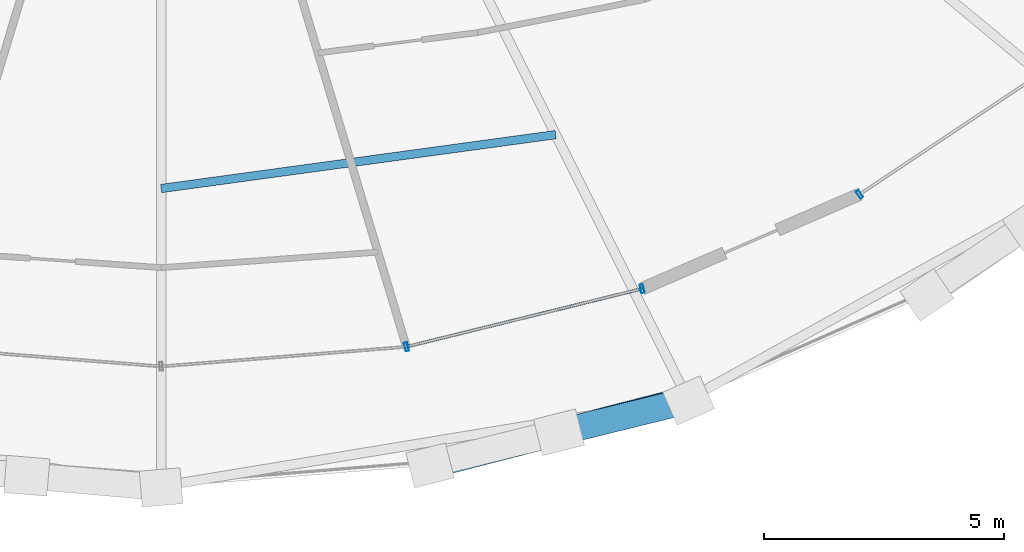
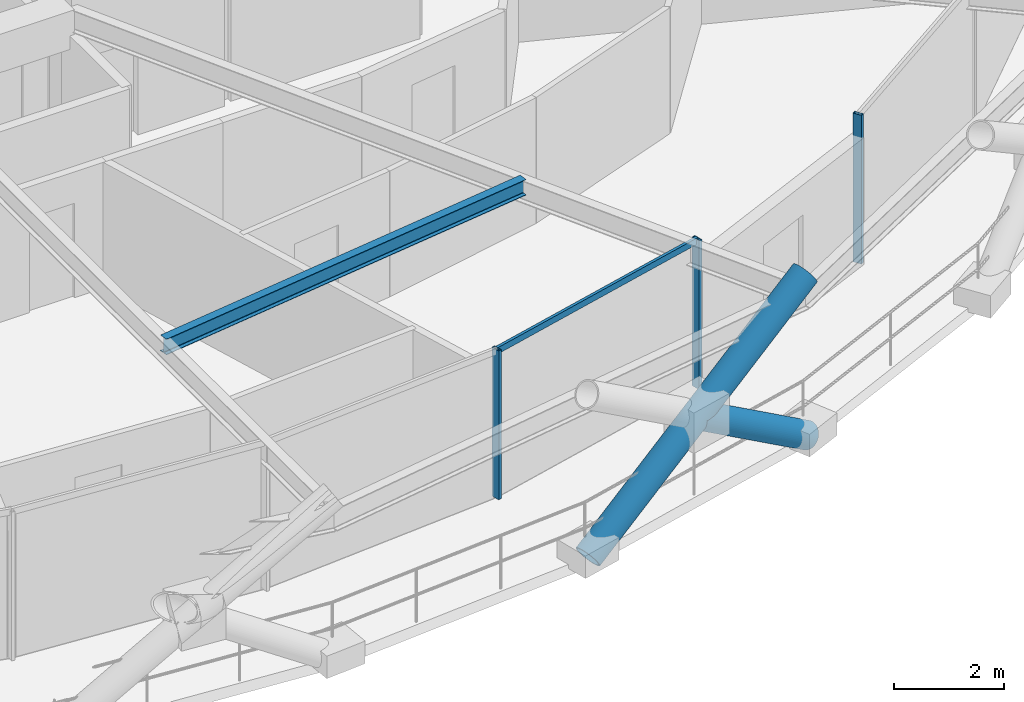
# One storey, part 4 of 20: 6 members, 1 beam, 2 elements without a shape of their own.
"""IFC4 building model written with IfcOpenShell, lengths in metres."""

from ifc_helpers import new_model, si_unit, direction, frame, origin, origin_2d, place, context, subcontext, project, spatial, hollow_rectangle, hollow_circle, i_section, extrude, material, layer, layer_set, material_profile, profile_set, type_object, element, aggregate, save


model = new_model("IFC4")

# Units and contexts
model_context = context("Model", 3, precision=1e-05, world=origin(), true_north=direction((0.0, 1.0)))
body_context = subcontext(model_context, "Body", "Model", "MODEL_VIEW")
ifc_project = project(units=[si_unit("LENGTHUNIT", "METRE"), si_unit("AREAUNIT", "SQUARE_METRE"), si_unit("VOLUMEUNIT", "CUBIC_METRE"), si_unit("PLANEANGLEUNIT", "RADIAN"), si_unit("MASSUNIT", "GRAM", prefix="KILO")], contexts=[model_context])

# Site, building, storey
site_placement = place(None, origin())
site = spatial("IfcSite", under=ifc_project, at=site_placement, CompositionType="ELEMENT")
building_placement = place(site_placement, origin())
building = spatial("IfcBuilding", under=site, at=building_placement, Name="Veldorina Hangang Commons", CompositionType="ELEMENT")
storey_placement = place(building_placement, frame((0.0, 0.0, 117.199951171875)))
storey = spatial("IfcBuildingStorey", under=building, at=storey_placement, Name="L29", CompositionType="ELEMENT", Elevation=117.199951171875)

# Beam
ifc_material_1 = material(Name="Steel SM355-TMC", Category="steel")
ifc_material_profile_1 = material_profile(ifc_material_1, i_section(OverallWidth=0.175048828125, OverallDepth=0.35009765625, WebThickness=0.007080078125, FlangeThickness=0.010986328125, FilletRadius=0.012939453125, at=origin_2d()), Name="H-350x175x7x11")
ifc_profile_set_1 = profile_set([ifc_material_profile_1], Name="Steel SM355-TMC")
beam_type = type_object("IfcBeamType", Name="BM-JST350", PredefinedType="JOIST", material=ifc_profile_set_1)
beam_placement = place(storey_placement, frame((32.0, 6.43115234375, 3.175048828125), z_axis=(0.990809376873, 0.135265585796, 0.0), x_axis=(-0.135265585796, 0.990809376873, 0.0)))
element("IfcBeam", 1, at=beam_placement, inside=storey, type_object=beam_type, Name="L29 secondary floor joist 13", PredefinedType="JOIST", context=body_context, shape_type="SweptSolid", body=[
    extrude(i_section(OverallWidth=0.175048828125, OverallDepth=0.35009765625, WebThickness=0.007080078125, FlangeThickness=0.010986328125, FilletRadius=0.012939453125, at=origin_2d()), origin(), (0.0, 0.0, 1.0), 8.29345703125),
])

# Curtain wall, members
ifc_material_2 = material(Name="Glass Low-E Triple IGU", Category="glass")
ifc_layer = layer(ifc_material_2, 0.179931640625)
ifc_layer_set = layer_set([ifc_layer], Name="Glass Low-E Triple IGU")
curtain_wall_type = type_object("IfcCurtainWallType", Name="CW-SYS-Z2", PredefinedType="NOTDEFINED", material=ifc_layer_set)
curtain_wall_1_placement = place(storey_placement, origin())
curtain_wall_1 = element("IfcCurtainWall", 2, at=curtain_wall_1_placement, inside=storey, type_object=curtain_wall_type, Name="L29 unitised curtain wall CW-L29-R1", PredefinedType="NOTDEFINED")
ifc_material_3 = material(Name="Aluminium Anodized AA6063-T6", Category="aluminium")
ifc_material_profile_2 = material_profile(ifc_material_3, hollow_rectangle(XDim=0.070068359375, YDim=0.179931640625, WallThickness=0.00390625, at=origin_2d()), Name="ALU-RHS-180x70x4")
ifc_profile_set_2 = profile_set([ifc_material_profile_2], Name="Aluminium Anodized AA6063-T6")
member_type_1 = type_object("IfcMemberType", Name="CW-MUL-180", PredefinedType="MULLION", material=ifc_profile_set_2)
member_1_placement = place(storey_placement, frame((37.108642578125, 3.13427734375, 0.0), z_axis=(0.0, 0.0, 1.0), x_axis=(0.970950813024, 0.239279164758, 0.0)))
member_1 = element("IfcMember", 3, at=member_1_placement, type_object=member_type_1, Name="CW-L29-R1 vertical mullion 4", PredefinedType="MULLION", context=body_context, shape_type="SweptSolid", body=[
    extrude(hollow_rectangle(XDim=0.070068359375, YDim=0.179931640625, WallThickness=0.00390625, at=origin_2d()), origin(), (0.0, 0.0, 1.0), 3.31005859375),
])
member_2_placement = place(storey_placement, frame((42.02099609375, 4.3447265625, 0.0), z_axis=(0.0, 0.0, 1.0), x_axis=(-0.970950813024, -0.239279164758, 0.0)))
member_2 = element("IfcMember", 4, at=member_2_placement, type_object=member_type_1, Name="CW-L29-R1 vertical mullion 5", PredefinedType="MULLION", context=body_context, shape_type="SweptSolid", body=[
    extrude(hollow_rectangle(XDim=0.070068359375, YDim=0.179931640625, WallThickness=0.00390625, at=origin_2d()), origin(), (0.0, 0.0, 1.0), 3.31005859375),
])

# Curtain wall, member
curtain_wall_2_placement = place(storey_placement, origin())
curtain_wall_2 = element("IfcCurtainWall", 5, at=curtain_wall_2_placement, inside=storey, type_object=curtain_wall_type, Name="L29 unitised curtain wall CW-L29-R2", PredefinedType="NOTDEFINED")
member_3_placement = place(storey_placement, frame((46.54833984375, 6.310791015625, 0.0), z_axis=(0.0, 0.0, 1.0), x_axis=(0.832021902956, 0.554742780937, 0.0)))
member_3 = element("IfcMember", 6, at=member_3_placement, type_object=member_type_1, Name="CW-L29-R2 vertical mullion 1", PredefinedType="MULLION", context=body_context, shape_type="SweptSolid", body=[
    extrude(hollow_rectangle(XDim=0.070068359375, YDim=0.179931640625, WallThickness=0.00390625, at=origin_2d()), origin(), (0.0, 0.0, 1.0), 3.31005859375),
])
aggregate(curtain_wall_2, [member_3])

# Member
ifc_material_profile_3 = material_profile(ifc_material_3, hollow_rectangle(XDim=0.06005859375, YDim=0.139892578125, WallThickness=0.00341796875, at=origin_2d()), Name="ALU-RHS-140x60x3.5")
ifc_profile_set_3 = profile_set([ifc_material_profile_3], Name="Aluminium Anodized AA6063-T6")
member_type_2 = type_object("IfcMemberType", Name="CW-TRN-140", PredefinedType="USERDEFINED", material=ifc_profile_set_3)
member_4_placement = place(storey_placement, frame((37.108642578125, 3.13427734375, 3.27001953125), z_axis=(0.97095730122, 0.239252835319, 0.0), x_axis=(-0.239252835319, 0.97095730122, 0.0)))
member_4 = element("IfcMember", 7, at=member_4_placement, type_object=member_type_2, Name="CW-L29-R1 facet 4 transom 1", ObjectType="TRANSOM", PredefinedType="USERDEFINED", context=body_context, shape_type="SweptSolid", body=[
    extrude(hollow_rectangle(XDim=0.06005859375, YDim=0.139892578125, WallThickness=0.00341796875, at=origin_2d()), origin(), (0.0, 0.0, 1.0), 5.059326171875),
])

aggregate(curtain_wall_1, [member_1, member_2, member_4])

# Members
ifc_material_4 = material(Name="Steel SM420-TMC", Category="steel")
ifc_material_profile_4 = material_profile(ifc_material_4, hollow_circle(Radius=0.27490234375, WallThickness=0.028076171875, at=origin_2d()), Name="CHS-550x28")
ifc_profile_set_4 = profile_set([ifc_material_profile_4], Name="Steel SM420-TMC")
member_type_3 = type_object("IfcMemberType", Name="DG-CHS550", PredefinedType="BRACE", material=ifc_profile_set_4)
member_5_placement = place(storey_placement, frame((37.600341796875, 0.66259765625, 0.0), z_axis=(0.812328689821, 0.208695645853, 0.544580781056), x_axis=(-0.248829804184, 0.968547225772, 0.0)))
element("IfcMember", 8, at=member_5_placement, inside=storey, type_object=member_type_3, Name="L29 continuous perimeter diagrid brace 25", PredefinedType="BRACE", context=body_context, shape_type="SweptSolid", body=[
    extrude(hollow_circle(Radius=0.27490234375, WallThickness=0.028076171875, at=origin_2d()), origin(), (0.0, 0.0, 1.0), 6.61083984375),
])
member_6_placement = place(storey_placement, frame((42.985595703125, 2.0166015625, 0.0), z_axis=(-0.814845379617, -0.200449161963, 0.543918321796), x_axis=(0.238875039213, -0.97105031571, 0.0)))
element("IfcMember", 9, at=member_6_placement, inside=storey, type_object=member_type_3, Name="L29 split perimeter diagrid lower brace 26", PredefinedType="BRACE", context=body_context, shape_type="SweptSolid", body=[
    extrude(hollow_circle(Radius=0.27490234375, WallThickness=0.028076171875, at=origin_2d()), origin(), (0.0, 0.0, 1.0), 3.311767578125),
])

save(model, "model.ifc")
